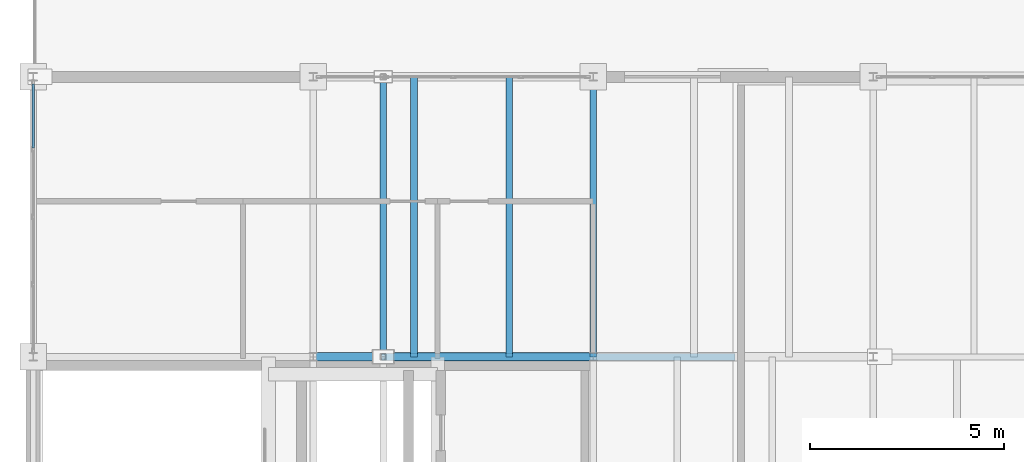
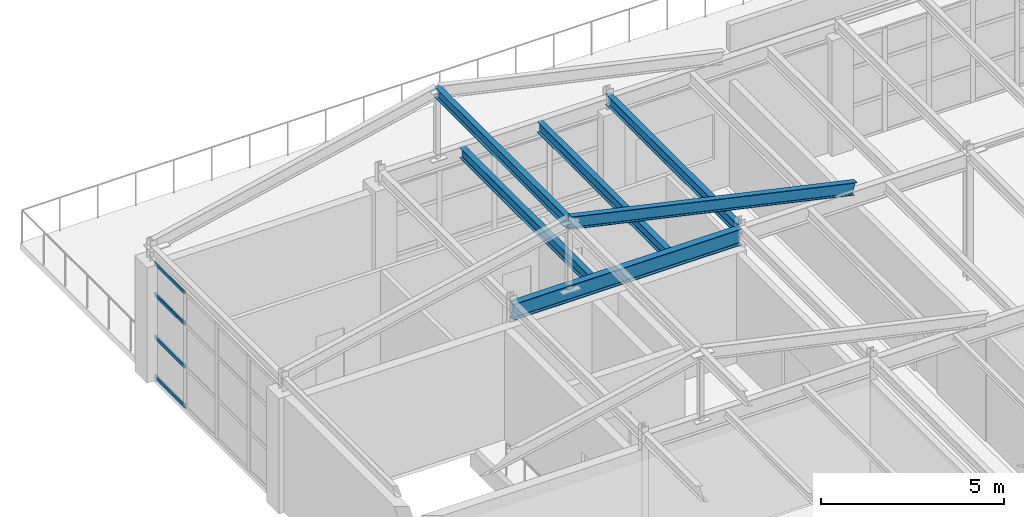
# One storey, part 29 of 43: 6 beams, 4 members, 1 element without a shape of its own.
"""IFC4 building model written with IfcOpenShell, lengths in metres."""

from ifc_helpers import new_model, si_unit, direction, frame, origin, origin_2d, place, context, subcontext, project, spatial, hollow_rectangle, i_section, extrude, material, layer, layer_set, material_profile, profile_set, type_object, element, aggregate, save


model = new_model("IFC4")

# Units and contexts
model_context = context("Model", 3, precision=1e-05, world=origin(), true_north=direction((0.0, 1.0)))
body_context = subcontext(model_context, "Body", "Model", "MODEL_VIEW")
ifc_project = project(units=[si_unit("LENGTHUNIT", "METRE"), si_unit("AREAUNIT", "SQUARE_METRE"), si_unit("VOLUMEUNIT", "CUBIC_METRE"), si_unit("PLANEANGLEUNIT", "RADIAN"), si_unit("MASSUNIT", "GRAM", prefix="KILO")], contexts=[model_context])

# Site, building, storey
site_placement = place(None, origin())
site = spatial("IfcSite", under=ifc_project, at=site_placement, CompositionType="ELEMENT")
building_placement = place(site_placement, origin())
building = spatial("IfcBuilding", under=site, at=building_placement, Name="Kemerveld Promenade Tramway Depot", CompositionType="ELEMENT")
storey_placement = place(building_placement, frame((0.0, 0.0, 18.89990234375)))
storey = spatial("IfcBuildingStorey", under=building, at=storey_placement, Name="L04", CompositionType="ELEMENT", Elevation=18.89990234375)

# Beams
ifc_material_1 = material(Name="Steel S355", Category="steel")
ifc_material_profile_1 = material_profile(ifc_material_1, i_section(OverallWidth=0.2099609375, OverallDepth=0.53662109375, WebThickness=0.0107421875, FlangeThickness=0.017333984375, FilletRadius=0.0126953125, at=origin_2d()), Name="533x210x101 UB")
ifc_profile_set_1 = profile_set([ifc_material_profile_1], Name="Steel S355")
beam_type_1 = type_object("IfcBeamType", Name="BM-G05", PredefinedType="BEAM", material=ifc_profile_set_1)
beam_1_placement = place(storey_placement, frame((7.199951171875, 50.39990234375, 3.94677734375), z_axis=(1.0, 0.0, 0.0), x_axis=(0.0, 1.0, 0.0)))
element("IfcBeam", 1, at=beam_1_placement, inside=storey, type_object=beam_type_1, Name="BMX-L04-02-03-H", PredefinedType="BEAM", context=body_context, shape_type="SweptSolid", body=[
    extrude(i_section(OverallWidth=0.2099609375, OverallDepth=0.53662109375, WebThickness=0.0107421875, FlangeThickness=0.017333984375, FilletRadius=0.0126953125, at=origin_2d()), origin(), (0.0, 0.0, 1.0), 7.199951171875),
])
ifc_material_profile_2 = material_profile(ifc_material_1, i_section(OverallWidth=0.1787109375, OverallDepth=0.409423828125, WebThickness=0.0087890625, FlangeThickness=0.014404296875, FilletRadius=0.01025390625, at=origin_2d()), Name="406x178x67 UB")
ifc_profile_set_2 = profile_set([ifc_material_profile_2], Name="Steel S355")
beam_type_2 = type_object("IfcBeamType", Name="BM-G07", PredefinedType="BEAM", material=ifc_profile_set_2)
beam_2_placement = place(storey_placement, frame((9.0, 50.39990234375, 6.275390625), z_axis=(0.976187060184, 0.0, -0.216930457819), x_axis=(0.0, 1.0, 0.0)))
element("IfcBeam", 2, at=beam_2_placement, inside=storey, type_object=beam_type_2, Name="RAF-V5-H-E", PredefinedType="BEAM", context=body_context, shape_type="SweptSolid", body=[
    extrude(i_section(OverallWidth=0.1787109375, OverallDepth=0.409423828125, WebThickness=0.0087890625, FlangeThickness=0.014404296875, FilletRadius=0.01025390625, at=origin_2d()), origin(), (0.0, 0.0, 1.0), 9.219482421875),
])
ifc_material_profile_3 = material_profile(ifc_material_1, i_section(OverallWidth=0.172119140625, OverallDepth=0.35791015625, WebThickness=0.008056640625, FlangeThickness=0.012939453125, FilletRadius=0.01025390625, at=origin_2d()), Name="356x171x57 UB")
ifc_profile_set_3 = profile_set([ifc_material_profile_3], Name="Steel S355")
beam_type_3 = type_object("IfcBeamType", Name="BM-G08", PredefinedType="BEAM", material=ifc_profile_set_3)
for number, where, z_axis, x_axis, name in (
    (3, (14.39990234375, 50.39990234375, 4.14111328125), (0.0, 1.0, 0.0), (-1.0, 0.0, 0.0), "BMY-L04-03-H-J"),
    (4, (9.0, 50.39990234375, 6.275390625), (0.0, 1.0, 0.0), (-1.0, 0.0, 0.0), "BM-RDG-V5-8"),
):
    element("IfcBeam", number, at=place(storey_placement, frame(where, z_axis=z_axis, x_axis=x_axis)), inside=storey, type_object=beam_type_3, Name=name, PredefinedType="BEAM", context=body_context, shape_type="SweptSolid", body=[
        extrude(i_section(OverallWidth=0.172119140625, OverallDepth=0.35791015625, WebThickness=0.008056640625, FlangeThickness=0.012939453125, FilletRadius=0.01025390625, at=origin_2d()), origin(), (0.0, 0.0, 1.0), 7.2001953125),
    ])
ifc_material_profile_4 = material_profile(ifc_material_1, i_section(OverallWidth=0.172119140625, OverallDepth=0.35791015625, WebThickness=0.008056640625, FlangeThickness=0.012939453125, FilletRadius=0.01025390625, at=origin_2d()), Name="356x171x57 UB")
ifc_profile_set_4 = profile_set([ifc_material_profile_4], Name="Steel S355")
beam_type_4 = type_object("IfcBeamType", Name="BM-J04", PredefinedType="JOIST", material=ifc_profile_set_4)
for number, where, z_axis, x_axis, name in (
    (5, (9.7919921875, 50.39990234375, 3.97607421875), (0.0, 1.0, 0.0), (-1.0, 0.0, 0.0), "JST-L04-02-H-1"),
    (6, (12.239990234375, 50.39990234375, 3.97607421875), (0.0, 1.0, 0.0), (-1.0, 0.0, 0.0), "JST-L04-02-H-2"),
):
    element("IfcBeam", number, at=place(storey_placement, frame(where, z_axis=z_axis, x_axis=x_axis)), inside=storey, type_object=beam_type_4, Name=name, PredefinedType="JOIST", context=body_context, shape_type="SweptSolid", body=[
        extrude(i_section(OverallWidth=0.172119140625, OverallDepth=0.35791015625, WebThickness=0.008056640625, FlangeThickness=0.012939453125, FilletRadius=0.01025390625, at=origin_2d()), origin(), (0.0, 0.0, 1.0), 7.2001953125),
    ])

# Curtain wall, members
ifc_material_2 = material(Name="Bronze anodised aluminium and solar glass", Category="aluminium")
ifc_layer = layer(ifc_material_2, 0.159912109375)
ifc_layer_set = layer_set([ifc_layer], Name="CW-SYS-11")
curtain_wall_type = type_object("IfcCurtainWallType", Name="CW-SYS-11", PredefinedType="USERDEFINED", material=ifc_layer_set)
curtain_wall_placement = place(storey_placement, origin())
curtain_wall = element("IfcCurtainWall", 7, at=curtain_wall_placement, inside=storey, type_object=curtain_wall_type, Name="CW-L04-V5W-08", ObjectType="GLAZED_CURTAIN_WALL", PredefinedType="USERDEFINED")
ifc_material_3 = material(Name="Bronze anodised aluminium", Category="aluminium")
ifc_material_profile_5 = material_profile(ifc_material_3, hollow_rectangle(XDim=0.06005859375, YDim=0.1201171875, WallThickness=0.00390625, InnerFilletRadius=0.001953125, OuterFilletRadius=0.00390625, at=origin_2d()), Name="CW-TRN-120x60")
ifc_profile_set_5 = profile_set([ifc_material_profile_5], Name="Bronze anodised aluminium")
member_type = type_object("IfcMemberType", Name="CW-TRN-A", PredefinedType="USERDEFINED", material=ifc_profile_set_5)
member_1_placement = place(storey_placement, frame((0.0, 55.77001953125, 0.030029296875), z_axis=(0.0, 1.0, 0.0), x_axis=(-1.0, 0.0, 0.0)))
member_1 = element("IfcMember", 8, at=member_1_placement, type_object=member_type, Name="CW11 transom 4.1", ObjectType="TRANSOM", PredefinedType="USERDEFINED", context=body_context, shape_type="SweptSolid", body=[
    extrude(hollow_rectangle(XDim=0.06005859375, YDim=0.1201171875, WallThickness=0.00390625, InnerFilletRadius=0.001953125, OuterFilletRadius=0.00390625, at=origin_2d()), origin(), (0.0, 0.0, 1.0), 1.64013671875),
])
member_2_placement = place(storey_placement, frame((0.0, 55.77001953125, 1.34716796875), z_axis=(0.0, 1.0, 0.0), x_axis=(-1.0, 0.0, 0.0)))
member_2 = element("IfcMember", 9, at=member_2_placement, type_object=member_type, Name="CW11 transom 4.2", ObjectType="TRANSOM", PredefinedType="USERDEFINED", context=body_context, shape_type="SweptSolid", body=[
    extrude(hollow_rectangle(XDim=0.06005859375, YDim=0.1201171875, WallThickness=0.00390625, InnerFilletRadius=0.001953125, OuterFilletRadius=0.00390625, at=origin_2d()), origin(), (0.0, 0.0, 1.0), 1.64013671875),
])
member_3_placement = place(storey_placement, frame((0.0, 55.77001953125, 2.772216796875), z_axis=(0.0, 1.0, 0.0), x_axis=(-1.0, 0.0, 0.0)))
member_3 = element("IfcMember", 10, at=member_3_placement, type_object=member_type, Name="CW11 transom 4.3", ObjectType="TRANSOM", PredefinedType="USERDEFINED", context=body_context, shape_type="SweptSolid", body=[
    extrude(hollow_rectangle(XDim=0.06005859375, YDim=0.1201171875, WallThickness=0.00390625, InnerFilletRadius=0.001953125, OuterFilletRadius=0.00390625, at=origin_2d()), origin(), (0.0, 0.0, 1.0), 1.64013671875),
])
member_4_placement = place(storey_placement, frame((0.0, 55.77001953125, 3.820068359375), z_axis=(0.0, 1.0, 0.0), x_axis=(-1.0, 0.0, 0.0)))
member_4 = element("IfcMember", 11, at=member_4_placement, type_object=member_type, Name="CW11 transom 4.4", ObjectType="TRANSOM", PredefinedType="USERDEFINED", context=body_context, shape_type="SweptSolid", body=[
    extrude(hollow_rectangle(XDim=0.06005859375, YDim=0.1201171875, WallThickness=0.00390625, InnerFilletRadius=0.001953125, OuterFilletRadius=0.00390625, at=origin_2d()), origin(), (0.0, 0.0, 1.0), 1.64013671875),
])
aggregate(curtain_wall, [member_1, member_2, member_3, member_4])

save(model, "model.ifc")
